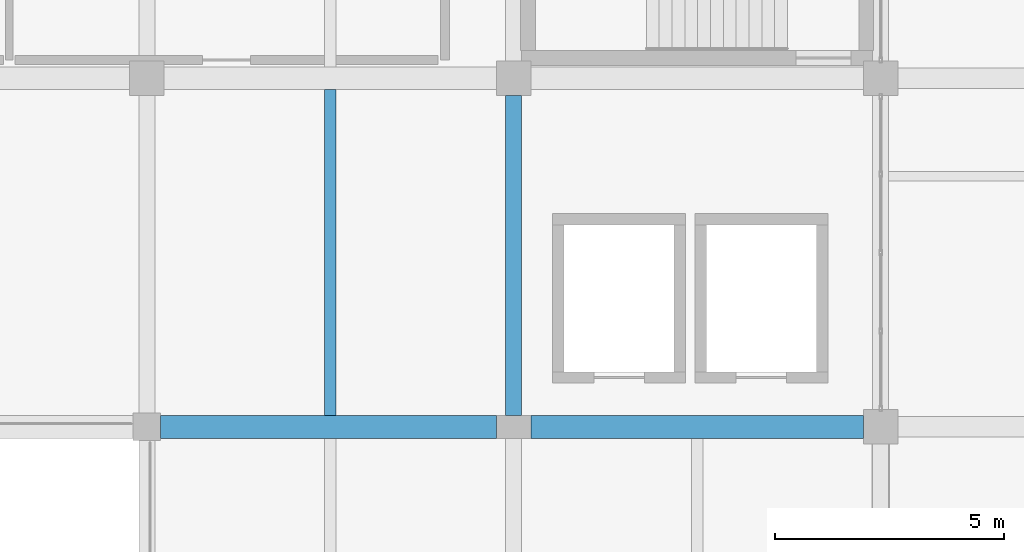
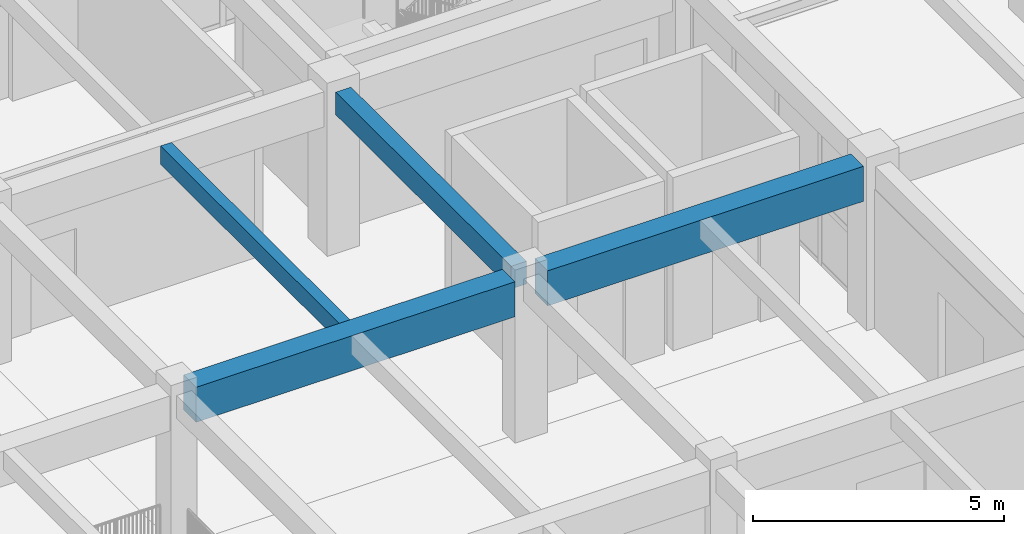
# One storey, part 22 of 63: 4 beams.
"""IFC4 building model written with IfcOpenShell, lengths in metres."""

from ifc_helpers import new_model, si_unit, direction, frame, origin, origin_2d, place, context, subcontext, project, spatial, rectangle, extrude, material, material_profile, profile_set, type_object, element, save


model = new_model("IFC4")

# Units and contexts
model_context = context("Model", 3, precision=1e-05, world=origin(), true_north=direction((0.0, 1.0)))
body_context = subcontext(model_context, "Body", "Model", "MODEL_VIEW")
ifc_project = project(units=[si_unit("LENGTHUNIT", "METRE"), si_unit("AREAUNIT", "SQUARE_METRE"), si_unit("VOLUMEUNIT", "CUBIC_METRE"), si_unit("PLANEANGLEUNIT", "RADIAN"), si_unit("MASSUNIT", "GRAM", prefix="KILO")], contexts=[model_context])

# Site, building, storey
site_placement = place(None, origin())
site = spatial("IfcSite", under=ifc_project, at=site_placement, CompositionType="ELEMENT")
building_placement = place(site_placement, origin())
building = spatial("IfcBuilding", under=site, at=building_placement, Name="Zantavel Square City Hall", CompositionType="ELEMENT")
storey_placement = place(building_placement, frame((0.0, 0.0, 14.699951171875)))
storey = spatial("IfcBuildingStorey", under=building, at=storey_placement, Name="L04", CompositionType="ELEMENT", Elevation=14.699951171875)

# Beams
ifc_material_1 = material(Name="Concrete C40/50", Category="concrete")
ifc_material_profile_1 = material_profile(ifc_material_1, rectangle(XDim=0.5, YDim=0.85009765625, at=origin_2d()), Name="RC 500x850")
ifc_profile_set_1 = profile_set([ifc_material_profile_1], Name="Concrete C40/50")
beam_type_1 = type_object("IfcBeamType", Name="Council Chamber Girder RC 500x850 C40/50", PredefinedType="BEAM", material=ifc_profile_set_1)
beam_1_placement = place(storey_placement, frame((88.300048828125, 53.199951171875, 3.4951171875), z_axis=(1.0, 0.0, 0.0), x_axis=(0.0, 1.0, 0.0)))
element("IfcBeam", 1, at=beam_1_placement, inside=storey, type_object=beam_type_1, Name="L04 Girder BMX-L04-0880-0532", PredefinedType="BEAM", context=body_context, shape_type="SweptSolid", body=[
    extrude(rectangle(XDim=0.5, YDim=0.85009765625, at=origin_2d()), origin(), (0.0, 0.0, 1.0), 7.324951171875),
])
beam_2_placement = place(storey_placement, frame((96.375, 53.199951171875, 3.4951171875), z_axis=(1.0, 0.0, 0.0), x_axis=(0.0, 1.0, 0.0)))
element("IfcBeam", 2, at=beam_2_placement, inside=storey, type_object=beam_type_1, Name="L04 Girder BMX-L04-0960-0532", PredefinedType="BEAM", context=body_context, shape_type="SweptSolid", body=[
    extrude(rectangle(XDim=0.5, YDim=0.85009765625, at=origin_2d()), origin(), (0.0, 0.0, 1.0), 7.25),
])
ifc_material_2 = material(Name="Concrete C35/45", Category="concrete")
ifc_material_profile_2 = material_profile(ifc_material_2, rectangle(XDim=0.25, YDim=0.449951171875, at=origin_2d()), Name="RC 250x450")
ifc_profile_set_2 = profile_set([ifc_material_profile_2], Name="Concrete C35/45")
beam_type_2 = type_object("IfcBeamType", Name="Light Floor Joist RC 250x450 C35/45", PredefinedType="JOIST", material=ifc_profile_set_2)
beam_3_placement = place(storey_placement, frame((92.0, 53.449951171875, 3.695068359375), z_axis=(0.0, 1.0, 0.0), x_axis=(-1.0, 0.0, 0.0)))
element("IfcBeam", 3, at=beam_3_placement, inside=storey, type_object=beam_type_2, Name="L04 Floor Joist JST-L04-0920-0532", PredefinedType="JOIST", context=body_context, shape_type="SweptSolid", body=[
    extrude(rectangle(XDim=0.25, YDim=0.449951171875, at=origin_2d()), origin(), (0.0, 0.0, 1.0), 7.10009765625),
])
ifc_material_profile_3 = material_profile(ifc_material_2, rectangle(XDim=0.35009765625, YDim=0.550048828125, at=origin_2d()), Name="RC 350x550")
ifc_profile_set_3 = profile_set([ifc_material_profile_3], Name="Concrete C35/45")
beam_type_3 = type_object("IfcBeamType", Name="Secondary Beam RC 350x550 C35/45", PredefinedType="BEAM", material=ifc_profile_set_3)
beam_4_placement = place(storey_placement, frame((96.0, 53.449951171875, 3.64501953125), z_axis=(0.0, 1.0, 0.0), x_axis=(-1.0, 0.0, 0.0)))
element("IfcBeam", 4, at=beam_4_placement, inside=storey, type_object=beam_type_3, Name="L04 Beam BMY-L04-0960-0532", PredefinedType="BEAM", context=body_context, shape_type="SweptSolid", body=[
    extrude(rectangle(XDim=0.35009765625, YDim=0.550048828125, at=origin_2d()), origin(), (0.0, 0.0, 1.0), 6.97509765625),
])

save(model, "model.ifc")
